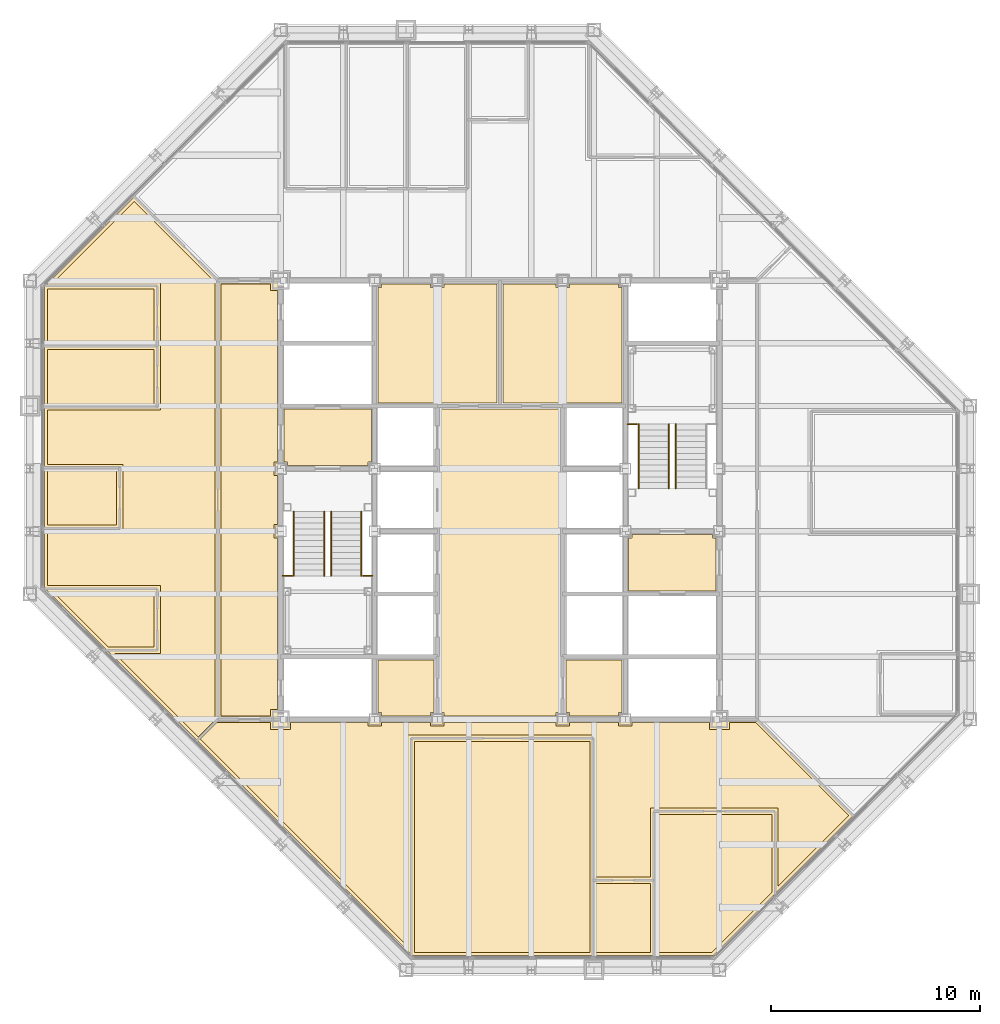
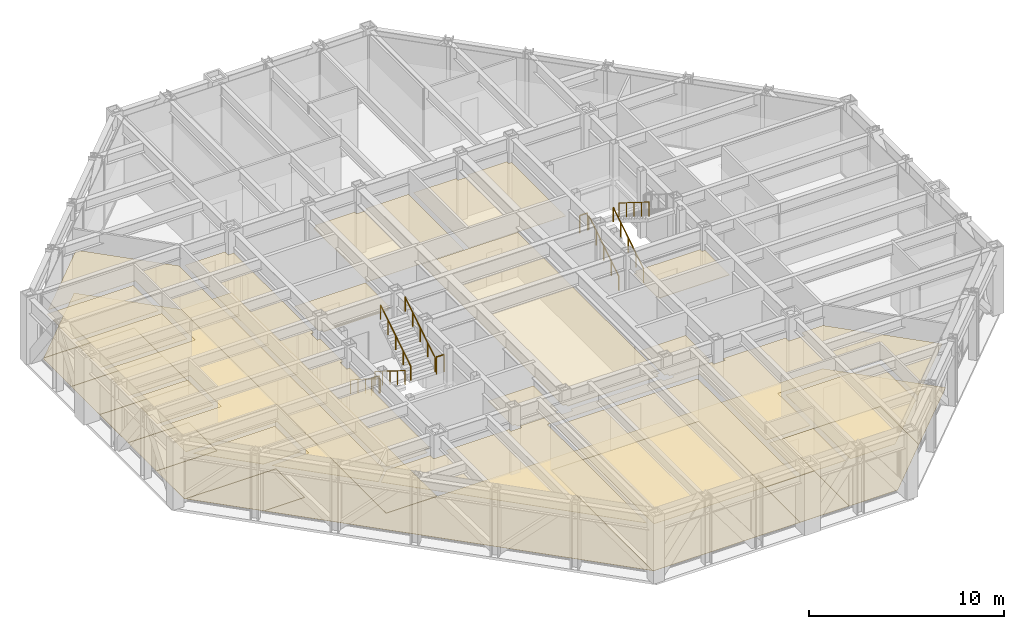
# One storey, part 15 of 16: 26 coverings, 10 railings.
"""IFC4 building model written with IfcOpenShell, lengths in metres."""

from ifc_helpers import new_model, si_unit, direction, frame, origin, origin_2d, place, context, subcontext, project, spatial, polyline, circle, outline, extrude, material, layer, layer_set, type_object, element, save


model = new_model("IFC4")

# Units and contexts
model_context = context("Model", 3, precision=1e-05, world=origin(), true_north=direction((0.0, 1.0)))
body_context = subcontext(model_context, "Body", "Model", "MODEL_VIEW")
ifc_project = project(units=[si_unit("LENGTHUNIT", "METRE"), si_unit("AREAUNIT", "SQUARE_METRE"), si_unit("VOLUMEUNIT", "CUBIC_METRE"), si_unit("PLANEANGLEUNIT", "RADIAN"), si_unit("MASSUNIT", "GRAM", prefix="KILO")], contexts=[model_context])

# Site, building, storey
site_placement = place(None, origin())
site = spatial("IfcSite", under=ifc_project, at=site_placement, CompositionType="ELEMENT")
building_placement = place(site_placement, origin())
building = spatial("IfcBuilding", under=site, at=building_placement, Name="Chuquiago Exchange Tower", CompositionType="ELEMENT")
storey_placement = place(building_placement, frame((0.0, 0.0, 230.699951171875)))
storey = spatial("IfcBuildingStorey", under=building, at=storey_placement, Name="L51", CompositionType="ELEMENT", Elevation=230.699951171875)

# Coverings
ifc_material_1 = material(Name="Mineral fibre tile, 600 x 600, on pale metal grid", Category="mineral fibre")
ifc_layer_1 = layer(ifc_material_1, 0.02001953125)
ifc_layer_set_1 = layer_set([ifc_layer_1], Name="CL1 suspended tile ceiling 20")
covering_type_1 = type_object("IfcCoveringType", Name="CL1 suspended tile ceiling 20", PredefinedType="CEILING", material=ifc_layer_set_1)
covering_1_placement = place(storey_placement, frame((0.0, 0.0, 2.800048828125)))
element("IfcCovering", 1, at=covering_1_placement, inside=storey, type_object=covering_type_1, Name="Ceiling Trading room", PredefinedType="CEILING", context=body_context, shape_type="SweptSolid", body=[
    extrude(outline(polyline([(18.3984375, 10.949951171875), (26.80029296875, 10.949951171875), (26.80029296875, 0.85009765625), (18.3984375, 0.85009765625), (18.3984375, 10.949951171875)])), origin(), (0.0, 0.0, 1.0), 0.02001953125),
])
covering_2_placement = place(storey_placement, frame((0.0, 0.0, 2.800048828125)))
element("IfcCovering", 2, at=covering_2_placement, inside=storey, type_object=covering_type_1, Name="Ceiling Focus room", PredefinedType="CEILING", context=body_context, shape_type="SweptSolid", body=[
    extrude(outline(polyline([(27.100341796875, 4.14990234375), (29.700927734375, 4.14990234375), (29.700927734375, 0.85009765625), (27.100341796875, 0.85009765625), (27.100341796875, 4.14990234375)])), origin(), (0.0, 0.0, 1.0), 0.02001953125),
])
covering_3_placement = place(storey_placement, frame((0.0, 0.0, 2.800048828125)))
element("IfcCovering", 3, at=covering_3_placement, inside=storey, type_object=covering_type_1, Name="Ceiling Risk management office", PredefinedType="CEILING", context=body_context, shape_type="SweptSolid", body=[
    extrude(outline(polyline([(30.0009765625, 0.85009765625), (30.0009765625, 7.449951171875), (35.513671875, 7.449951171875), (35.513671875, 3.715576171875), (32.64794921875, 0.85009765625), (30.0009765625, 0.85009765625)])), origin(), (0.0, 0.0, 1.0), 0.02001953125),
])
covering_4_placement = place(storey_placement, frame((0.0, 0.0, 2.800048828125)))
element("IfcCovering", 4, at=covering_4_placement, inside=storey, type_object=covering_type_1, Name="Ceiling Meeting room", PredefinedType="CEILING", context=body_context, shape_type="SweptSolid", body=[
    extrude(outline(polyline([(5.949951171875, 18.098388671875), (5.949951171875, 15.45703125), (3.744873046875, 15.45703125), (1.103515625, 18.098388671875), (5.949951171875, 18.098388671875)])), origin(), (0.0, 0.0, 1.0), 0.02001953125),
])
covering_5_placement = place(storey_placement, frame((0.0, 0.0, 2.800048828125)))
element("IfcCovering", 5, at=covering_5_placement, inside=storey, type_object=covering_type_1, Name="Ceiling Focus room", PredefinedType="CEILING", context=body_context, shape_type="SweptSolid", body=[
    extrude(outline(polyline([(4.14990234375, 23.899658203125), (4.14990234375, 21.299072265625), (0.85009765625, 21.299072265625), (0.85009765625, 23.899658203125), (4.14990234375, 23.899658203125)])), origin(), (0.0, 0.0, 1.0), 0.02001953125),
])
covering_6_placement = place(storey_placement, frame((0.0, 0.0, 2.800048828125)))
element("IfcCovering", 6, at=covering_6_placement, inside=storey, type_object=covering_type_1, Name="Ceiling Office", PredefinedType="CEILING", context=body_context, shape_type="SweptSolid", body=[
    extrude(outline(polyline([(5.949951171875, 29.700927734375), (5.949951171875, 27.100341796875), (0.85009765625, 27.100341796875), (0.85009765625, 29.700927734375), (5.949951171875, 29.700927734375)])), origin(), (0.0, 0.0, 1.0), 0.02001953125),
])
covering_7_placement = place(storey_placement, frame((0.0, 0.0, 2.800048828125)))
element("IfcCovering", 7, at=covering_7_placement, inside=storey, type_object=covering_type_1, Name="Ceiling Office", PredefinedType="CEILING", context=body_context, shape_type="SweptSolid", body=[
    extrude(outline(polyline([(5.949951171875, 32.6015625), (5.949951171875, 30.0009765625), (0.85009765625, 30.0009765625), (0.85009765625, 32.6015625), (5.949951171875, 32.6015625)])), origin(), (0.0, 0.0, 1.0), 0.02001953125),
])
covering_8_placement = place(storey_placement, frame((0.0, 0.0, 2.800048828125)))
element("IfcCovering", 8, at=covering_8_placement, inside=storey, type_object=covering_type_1, Name="Ceiling Circulation corridor", PredefinedType="CEILING", context=body_context, shape_type="SweptSolid", body=[
    extrude(outline(polyline([(9.14990234375, 12.14990234375), (9.14990234375, 32.85009765625), (11.52490234375, 32.85009765625), (11.52490234375, 32.52490234375), (11.85009765625, 32.52490234375), (11.85009765625, 24.324951171875), (11.675048828125, 24.324951171875), (11.675048828125, 23.675048828125), (11.85009765625, 23.675048828125), (11.85009765625, 21.324951171875), (11.675048828125, 21.324951171875), (11.675048828125, 20.675048828125), (11.85009765625, 20.675048828125), (11.85009765625, 12.47509765625), (11.52490234375, 12.47509765625), (11.52490234375, 12.14990234375), (9.14990234375, 12.14990234375)])), origin(), (0.0, 0.0, 1.0), 0.02001953125),
])
covering_9_placement = place(storey_placement, frame((0.0, 0.0, 2.800048828125)))
element("IfcCovering", 9, at=covering_9_placement, inside=storey, type_object=covering_type_1, Name="Ceiling Open office west", PredefinedType="CEILING", context=body_context, shape_type="SweptSolid", body=[
    extrude(outline(polyline([(11.52490234375, 11.85009765625), (11.52490234375, 11.52490234375), (12.47509765625, 11.52490234375), (12.47509765625, 11.85009765625), (16.175048828125, 11.85009765625), (16.175048828125, 11.675048828125), (16.824951171875, 11.675048828125), (16.824951171875, 11.85009765625), (19.175048828125, 11.85009765625), (19.175048828125, 11.675048828125), (19.824951171875, 11.675048828125), (19.824951171875, 11.85009765625), (25.175048828125, 11.85009765625), (25.175048828125, 11.675048828125), (25.824951171875, 11.675048828125), (25.824951171875, 11.85009765625), (28.175048828125, 11.85009765625), (28.175048828125, 11.675048828125), (28.824951171875, 11.675048828125), (28.824951171875, 11.85009765625), (32.52490234375, 11.85009765625), (32.52490234375, 11.52490234375), (33.47509765625, 11.52490234375), (33.47509765625, 11.85009765625), (34.7373046875, 11.85009765625), (39.192626953125, 7.39453125), (35.813720703125, 4.015625), (35.813720703125, 7.75), (29.700927734375, 7.75), (29.700927734375, 4.449951171875), (27.100341796875, 4.449951171875), (27.100341796875, 11.25), (18.098388671875, 11.25), (18.098388671875, 1.103515625), (8.150390625, 11.051513671875), (8.948974609375, 11.85009765625), (11.52490234375, 11.85009765625)])), origin(), (0.0, 0.0, 1.0), 0.02001953125),
])
covering_10_placement = place(storey_placement, frame((0.0, 0.0, 2.800048828125)))
element("IfcCovering", 10, at=covering_10_placement, inside=storey, type_object=covering_type_1, Name="Ceiling Open office west", PredefinedType="CEILING", context=body_context, shape_type="SweptSolid", body=[
    extrude(outline(polyline([(0.85009765625, 20.9990234375), (4.449951171875, 20.9990234375), (4.449951171875, 24.19970703125), (0.85009765625, 24.19970703125), (0.85009765625, 26.80029296875), (6.25, 26.80029296875), (6.25, 32.901611328125), (1.103515625, 32.901611328125), (4.99462890625, 36.79248046875), (8.85009765625, 32.9375), (8.85009765625, 11.948974609375), (8.051513671875, 11.150390625), (4.044921875, 15.156982421875), (6.25, 15.156982421875), (6.25, 18.3984375), (0.85009765625, 18.3984375), (0.85009765625, 20.9990234375)])), origin(), (0.0, 0.0, 1.0), 0.02001953125),
])
ifc_material_2 = material(Name="Moisture resistant plasterboard on metal frame", Category="gypsum")
ifc_layer_2 = layer(ifc_material_2, 0.014892578125)
ifc_layer_set_2 = layer_set([ifc_layer_2], Name="CL2 moisture resistant ceiling 15")
covering_type_2 = type_object("IfcCoveringType", Name="CL2 moisture resistant ceiling 15", PredefinedType="CEILING", material=ifc_layer_set_2)
covering_11_placement = place(storey_placement, frame((0.0, 0.0, 2.60009765625)))
element("IfcCovering", 11, at=covering_11_placement, inside=storey, type_object=covering_type_2, Name="Ceiling Male WC", PredefinedType="CEILING", context=body_context, shape_type="SweptSolid", body=[
    extrude(outline(polyline([(16.64990234375, 27.14990234375), (16.64990234375, 32.675048828125), (16.824951171875, 32.675048828125), (16.824951171875, 32.85009765625), (19.175048828125, 32.85009765625), (19.175048828125, 32.675048828125), (19.824951171875, 32.675048828125), (19.824951171875, 32.85009765625), (22.35009765625, 32.85009765625), (22.35009765625, 27.14990234375), (16.64990234375, 27.14990234375)])), origin(), (0.0, 0.0, 1.0), 0.014892578125),
])
covering_12_placement = place(storey_placement, frame((0.0, 0.0, 2.60009765625)))
element("IfcCovering", 12, at=covering_12_placement, inside=storey, type_object=covering_type_2, Name="Ceiling Female WC", PredefinedType="CEILING", context=body_context, shape_type="SweptSolid", body=[
    extrude(outline(polyline([(22.64990234375, 27.14990234375), (22.64990234375, 32.85009765625), (25.175048828125, 32.85009765625), (25.175048828125, 32.675048828125), (25.824951171875, 32.675048828125), (25.824951171875, 32.85009765625), (28.175048828125, 32.85009765625), (28.175048828125, 32.675048828125), (28.35009765625, 32.675048828125), (28.35009765625, 27.14990234375), (22.64990234375, 27.14990234375)])), origin(), (0.0, 0.0, 1.0), 0.014892578125),
])
covering_13_placement = place(storey_placement, frame((0.0, 0.0, 2.60009765625)))
element("IfcCovering", 13, at=covering_13_placement, inside=storey, type_object=covering_type_2, Name="Ceiling Accessible WC", PredefinedType="CEILING", context=body_context, shape_type="SweptSolid", body=[
    extrude(outline(polyline([(25.824951171875, 12.14990234375), (25.824951171875, 12.324951171875), (25.64990234375, 12.324951171875), (25.64990234375, 14.85009765625), (28.35009765625, 14.85009765625), (28.35009765625, 12.324951171875), (28.175048828125, 12.324951171875), (28.175048828125, 12.14990234375), (25.824951171875, 12.14990234375)])), origin(), (0.0, 0.0, 1.0), 0.014892578125),
])
covering_14_placement = place(storey_placement, frame((0.0, 0.0, 2.60009765625)))
element("IfcCovering", 14, at=covering_14_placement, inside=storey, type_object=covering_type_2, Name="Ceiling Cleaner", PredefinedType="CEILING", context=body_context, shape_type="SweptSolid", body=[
    extrude(outline(polyline([(16.824951171875, 12.14990234375), (16.824951171875, 12.324951171875), (16.64990234375, 12.324951171875), (16.64990234375, 14.85009765625), (19.35009765625, 14.85009765625), (19.35009765625, 12.324951171875), (19.175048828125, 12.324951171875), (19.175048828125, 12.14990234375), (16.824951171875, 12.14990234375)])), origin(), (0.0, 0.0, 1.0), 0.014892578125),
])
ifc_material_3 = material(Name="Pale metal plank ceiling, perforated", Category="aluminium")
ifc_layer_3 = layer(ifc_material_3, 0.030029296875)
ifc_layer_set_3 = layer_set([ifc_layer_3], Name="CL3 metal plank ceiling 30")
covering_type_3 = type_object("IfcCoveringType", Name="CL3 metal plank ceiling 30", PredefinedType="CEILING", material=ifc_layer_set_3)
covering_15_placement = place(storey_placement, frame((0.0, 0.0, 2.800048828125)))
element("IfcCovering", 15, at=covering_15_placement, inside=storey, type_object=covering_type_3, Name="Ceiling Lift lobby", PredefinedType="CEILING", context=body_context, shape_type="SweptSolid", body=[
    extrude(outline(polyline([(19.824951171875, 12.14990234375), (19.824951171875, 12.324951171875), (19.64990234375, 12.324951171875), (19.64990234375, 26.85009765625), (25.35009765625, 26.85009765625), (25.35009765625, 12.324951171875), (25.175048828125, 12.324951171875), (25.175048828125, 12.14990234375), (19.824951171875, 12.14990234375)])), origin(), (0.0, 0.0, 1.0), 0.030029296875),
])
covering_16_placement = place(storey_placement, frame((0.0, 0.0, 2.800048828125)))
element("IfcCovering", 16, at=covering_16_placement, inside=storey, type_object=covering_type_3, Name="Ceiling Firefighting lobby", PredefinedType="CEILING", context=body_context, shape_type="SweptSolid", body=[
    extrude(outline(polyline([(12.324951171875, 24.14990234375), (12.324951171875, 24.324951171875), (12.14990234375, 24.324951171875), (12.14990234375, 26.85009765625), (16.35009765625, 26.85009765625), (16.35009765625, 24.324951171875), (16.175048828125, 24.324951171875), (16.175048828125, 24.14990234375), (12.324951171875, 24.14990234375)])), origin(), (0.0, 0.0, 1.0), 0.030029296875),
])
covering_17_placement = place(storey_placement, frame((0.0, 0.0, 2.800048828125)))
element("IfcCovering", 17, at=covering_17_placement, inside=storey, type_object=covering_type_3, Name="Ceiling Firefighting lobby", PredefinedType="CEILING", context=body_context, shape_type="SweptSolid", body=[
    extrude(outline(polyline([(28.64990234375, 18.14990234375), (28.64990234375, 20.675048828125), (28.824951171875, 20.675048828125), (28.824951171875, 20.85009765625), (32.675048828125, 20.85009765625), (32.675048828125, 20.675048828125), (32.85009765625, 20.675048828125), (32.85009765625, 18.14990234375), (28.64990234375, 18.14990234375)])), origin(), (0.0, 0.0, 1.0), 0.030029296875),
])
ifc_material_4 = material(Name="Carpet tile, 500 x 500, on the floor slab", Category="textile")
ifc_layer_4 = layer(ifc_material_4, 0.010009765625)
ifc_layer_set_4 = layer_set([ifc_layer_4], Name="FL1 carpet tile 10")
covering_type_4 = type_object("IfcCoveringType", Name="FL1 carpet tile 10", PredefinedType="FLOORING", material=ifc_layer_set_4)
covering_18_placement = place(storey_placement, origin())
element("IfcCovering", 18, at=covering_18_placement, inside=storey, type_object=covering_type_4, Name="Floor finish Trading room", PredefinedType="FLOORING", context=body_context, shape_type="SweptSolid", body=[
    extrude(outline(polyline([(18.289794921875, 0.699951171875), (18.24853515625, 0.741455078125), (18.24853515625, 11.10009765625), (26.9501953125, 11.10009765625), (26.9501953125, 0.699951171875), (18.289794921875, 0.699951171875)])), origin(), (0.0, 0.0, 1.0), 0.010009765625),
])
covering_19_placement = place(storey_placement, origin())
element("IfcCovering", 19, at=covering_19_placement, inside=storey, type_object=covering_type_4, Name="Floor finish Focus room", PredefinedType="FLOORING", context=body_context, shape_type="SweptSolid", body=[
    extrude(outline(polyline([(26.9501953125, 0.699951171875), (26.9501953125, 4.300048828125), (29.850830078125, 4.300048828125), (29.850830078125, 0.699951171875), (26.9501953125, 0.699951171875)])), origin(), (0.0, 0.0, 1.0), 0.010009765625),
])
covering_20_placement = place(storey_placement, origin())
element("IfcCovering", 20, at=covering_20_placement, inside=storey, type_object=covering_type_4, Name="Floor finish Risk management office", PredefinedType="FLOORING", context=body_context, shape_type="SweptSolid", body=[
    extrude(outline(polyline([(32.710205078125, 0.699951171875), (29.850830078125, 0.699951171875), (29.850830078125, 7.60009765625), (35.66357421875, 7.60009765625), (35.66357421875, 3.653564453125), (32.710205078125, 0.699951171875)])), origin(), (0.0, 0.0, 1.0), 0.010009765625),
])
covering_21_placement = place(storey_placement, origin())
element("IfcCovering", 21, at=covering_21_placement, inside=storey, type_object=covering_type_4, Name="Floor finish Meeting room", PredefinedType="FLOORING", context=body_context, shape_type="SweptSolid", body=[
    extrude(outline(polyline([(0.741455078125, 18.24853515625), (6.10009765625, 18.24853515625), (6.10009765625, 15.30712890625), (3.682861328125, 15.30712890625), (0.741455078125, 18.24853515625)])), origin(), (0.0, 0.0, 1.0), 0.010009765625),
])
covering_22_placement = place(storey_placement, origin())
element("IfcCovering", 22, at=covering_22_placement, inside=storey, type_object=covering_type_4, Name="Floor finish Focus room", PredefinedType="FLOORING", context=body_context, shape_type="SweptSolid", body=[
    extrude(outline(polyline([(0.699951171875, 24.0498046875), (4.300048828125, 24.0498046875), (4.300048828125, 21.149169921875), (0.699951171875, 21.149169921875), (0.699951171875, 24.0498046875)])), origin(), (0.0, 0.0, 1.0), 0.010009765625),
])
covering_23_placement = place(storey_placement, origin())
element("IfcCovering", 23, at=covering_23_placement, inside=storey, type_object=covering_type_4, Name="Floor finish Office", PredefinedType="FLOORING", context=body_context, shape_type="SweptSolid", body=[
    extrude(outline(polyline([(0.699951171875, 29.850830078125), (6.10009765625, 29.850830078125), (6.10009765625, 26.9501953125), (0.699951171875, 26.9501953125), (0.699951171875, 29.850830078125)])), origin(), (0.0, 0.0, 1.0), 0.010009765625),
])
covering_24_placement = place(storey_placement, origin())
element("IfcCovering", 24, at=covering_24_placement, inside=storey, type_object=covering_type_4, Name="Floor finish Office", PredefinedType="FLOORING", context=body_context, shape_type="SweptSolid", body=[
    extrude(outline(polyline([(0.699951171875, 32.710205078125), (0.741455078125, 32.75146484375), (6.10009765625, 32.75146484375), (6.10009765625, 29.850830078125), (0.699951171875, 29.850830078125), (0.699951171875, 32.710205078125)])), origin(), (0.0, 0.0, 1.0), 0.010009765625),
])
covering_25_placement = place(storey_placement, origin())
element("IfcCovering", 25, at=covering_25_placement, inside=storey, type_object=covering_type_4, Name="Floor finish Open office west", PredefinedType="FLOORING", context=body_context, shape_type="SweptSolid", body=[
    extrude(outline(polyline([(4.300048828125, 24.0498046875), (0.699951171875, 24.0498046875), (0.699951171875, 26.9501953125), (6.10009765625, 26.9501953125), (6.10009765625, 32.75146484375), (0.741455078125, 32.75146484375), (4.99462890625, 37.004638671875), (9.0, 32.99951171875), (9.0, 12.0), (34.799560546875, 12.0), (39.40478515625, 7.39453125), (35.66357421875, 3.653564453125), (35.66357421875, 7.60009765625), (29.850830078125, 7.60009765625), (29.850830078125, 4.300048828125), (26.9501953125, 4.300048828125), (26.9501953125, 11.10009765625), (18.24853515625, 11.10009765625), (18.24853515625, 0.741455078125), (3.682861328125, 15.30712890625), (6.10009765625, 15.30712890625), (6.10009765625, 18.24853515625), (0.741455078125, 18.24853515625), (0.699951171875, 18.289794921875), (0.699951171875, 21.149169921875), (4.300048828125, 21.149169921875), (4.300048828125, 24.0498046875)])), origin(), (0.0, 0.0, 1.0), 0.010009765625),
])
ifc_material_5 = material(Name="Porcelain floor tile, 600 x 600, on adhesive bed", Category="ceramic")
ifc_layer_5 = layer(ifc_material_5, 0.014892578125)
ifc_layer_set_5 = layer_set([ifc_layer_5], Name="FL2 porcelain tile 15")
covering_type_5 = type_object("IfcCoveringType", Name="FL2 porcelain tile 15", PredefinedType="FLOORING", material=ifc_layer_set_5)
covering_26_placement = place(storey_placement, origin())
element("IfcCovering", 26, at=covering_26_placement, inside=storey, type_object=covering_type_5, Name="Floor finish Circulation corridor", PredefinedType="FLOORING", context=body_context, shape_type="SweptSolid", body=[
    extrude(outline(polyline([(12.0, 12.0), (9.0, 12.0), (9.0, 33.0), (12.0, 33.0), (12.0, 12.0)])), origin(), (0.0, 0.0, 1.0), 0.01513671875),
])

# Railings
ifc_material_6 = material(Name="Pale metal guard with safety glass infill", Category="glass")
railing_type_1 = type_object("IfcRailingType", Name="GR1 guard 1100", PredefinedType="GUARDRAIL", material=ifc_material_6)
for number, where, name in (
    (27, (12.10009765625, 18.8701171875, 2.10009765625), "Guard ST1 L51 landing 2"),
    (28, (15.945068359375, 18.8701171875, 2.10009765625), "Guard ST1 L51 landing 2"),
    (29, (28.60009765625, 26.1298828125, 2.10009765625), "Guard ST2 L51 landing 2"),
):
    element("IfcRailing", number, at=place(storey_placement, frame(where)), inside=storey, type_object=railing_type_1, Name=name, PredefinedType="GUARDRAIL", context=body_context, shape_type="SweptSolid", body=[
        extrude(circle(Radius=0.02392578125, at=origin_2d()), frame((0.0, 0.0, 1.076171875), z_axis=(1.0, 0.0, 0.0), x_axis=(0.0, 1.0, 0.0)), (0.0, 0.0, 1.0), 0.454833984375),
        extrude(circle(Radius=0.02099609375, at=origin_2d()), origin(), (0.0, 0.0, 1.0), 1.052001953125),
        extrude(circle(Radius=0.02099609375, at=origin_2d()), frame((0.454833984375, 0.0, 0.0)), (0.0, 0.0, 1.0), 1.052001953125),
    ])
ifc_material_7 = material(Name="Pale metal handrail", Category="steel")
railing_type_2 = type_object("IfcRailingType", Name="HR1 handrail 900", PredefinedType="HANDRAIL", material=ifc_material_7)
for number, where, name in (
    (30, (12.635009765625, 21.949951171875, 0.175048828125), "Handrail ST1 L51 flight 1"),
    (31, (14.0849609375, 21.949951171875, 0.175048828125), "Handrail ST1 L51 flight 1"),
):
    element("IfcRailing", number, at=place(storey_placement, frame(where)), inside=storey, type_object=railing_type_2, Name=name, PredefinedType="HANDRAIL", context=body_context, shape_type="SweptSolid", body=[
        extrude(circle(Radius=0.02392578125, at=origin_2d()), frame((0.0, 0.0, 0.8759765625), z_axis=(0.0, -0.847979421464, 0.530029150871), x_axis=(1.0, 0.0, 0.0)), (0.0, 0.0, 1.0), 3.632080078125),
        extrude(circle(Radius=0.02099609375, at=origin_2d()), origin(), (0.0, 0.0, 1.0), 0.851806640625),
        extrude(circle(Radius=0.02099609375, at=origin_2d()), frame((0.0, -0.77001953125, 0.481201171875)), (0.0, 0.0, 1.0), 0.851806640625),
        extrude(circle(Radius=0.02099609375, at=origin_2d()), frame((0.0, -1.5400390625, 0.96240234375)), (0.0, 0.0, 1.0), 0.851806640625),
        extrude(circle(Radius=0.02099609375, at=origin_2d()), frame((0.0, -2.309814453125, 1.44384765625)), (0.0, 0.0, 1.0), 0.851806640625),
        extrude(circle(Radius=0.02099609375, at=origin_2d()), frame((0.0, -3.079833984375, 1.925048828125)), (0.0, 0.0, 1.0), 0.851806640625),
    ])
for number, where, name in (
    (32, (15.864990234375, 18.8701171875, 2.275146484375), "Handrail ST1 L51 flight 2"),
    (33, (14.4150390625, 18.8701171875, 2.275146484375), "Handrail ST1 L51 flight 2"),
):
    element("IfcRailing", number, at=place(storey_placement, frame(where)), inside=storey, type_object=railing_type_2, Name=name, PredefinedType="HANDRAIL", context=body_context, shape_type="SweptSolid", body=[
        extrude(circle(Radius=0.02392578125, at=origin_2d()), frame((0.0, 0.0, 0.8759765625), z_axis=(0.0, 0.848009633417, 0.529980812513), x_axis=(-1.0, 0.0, 0.0)), (0.0, 0.0, 1.0), 3.6318359375),
        extrude(circle(Radius=0.02099609375, at=origin_2d()), origin(), (0.0, 0.0, 1.0), 0.851806640625),
        extrude(circle(Radius=0.02099609375, at=origin_2d()), frame((0.0, 0.77001953125, 0.481201171875)), (0.0, 0.0, 1.0), 0.851806640625),
        extrude(circle(Radius=0.02099609375, at=origin_2d()), frame((0.0, 1.5400390625, 0.96240234375)), (0.0, 0.0, 1.0), 0.851806640625),
        extrude(circle(Radius=0.02099609375, at=origin_2d()), frame((0.0, 2.309814453125, 1.443603515625)), (0.0, 0.0, 1.0), 0.851806640625),
        extrude(circle(Radius=0.02099609375, at=origin_2d()), frame((0.0, 3.079833984375, 1.9248046875)), (0.0, 0.0, 1.0), 0.851806640625),
    ])
for number, where, name in (
    (34, (30.5849609375, 23.050048828125, 0.175048828125), "Handrail ST2 L51 flight 1"),
    (35, (29.135009765625, 23.050048828125, 0.175048828125), "Handrail ST2 L51 flight 1"),
):
    element("IfcRailing", number, at=place(storey_placement, frame(where)), inside=storey, type_object=railing_type_2, Name=name, PredefinedType="HANDRAIL", context=body_context, shape_type="SweptSolid", body=[
        extrude(circle(Radius=0.02392578125, at=origin_2d()), frame((0.0, 0.0, 0.8759765625), z_axis=(0.0, 0.847979421464, 0.530029150871), x_axis=(-1.0, 0.0, 0.0)), (0.0, 0.0, 1.0), 3.632080078125),
        extrude(circle(Radius=0.02099609375, at=origin_2d()), origin(), (0.0, 0.0, 1.0), 0.851806640625),
        extrude(circle(Radius=0.02099609375, at=origin_2d()), frame((0.0, 0.77001953125, 0.481201171875)), (0.0, 0.0, 1.0), 0.851806640625),
        extrude(circle(Radius=0.02099609375, at=origin_2d()), frame((0.0, 1.5400390625, 0.96240234375)), (0.0, 0.0, 1.0), 0.851806640625),
        extrude(circle(Radius=0.02099609375, at=origin_2d()), frame((0.0, 2.309814453125, 1.44384765625)), (0.0, 0.0, 1.0), 0.851806640625),
        extrude(circle(Radius=0.02099609375, at=origin_2d()), frame((0.0, 3.079833984375, 1.925048828125)), (0.0, 0.0, 1.0), 0.851806640625),
    ])
railing_placement = place(storey_placement, frame((30.9150390625, 26.1298828125, 2.275146484375)))
element("IfcRailing", 36, at=railing_placement, inside=storey, type_object=railing_type_2, Name="Handrail ST2 L51 flight 2", PredefinedType="HANDRAIL", context=body_context, shape_type="SweptSolid", body=[
    extrude(circle(Radius=0.02392578125, at=origin_2d()), frame((0.0, 0.0, 0.8759765625), z_axis=(0.0, -0.848009633417, 0.529980812513), x_axis=(1.0, 0.0, 0.0)), (0.0, 0.0, 1.0), 3.6318359375),
    extrude(circle(Radius=0.02099609375, at=origin_2d()), origin(), (0.0, 0.0, 1.0), 0.851806640625),
    extrude(circle(Radius=0.02099609375, at=origin_2d()), frame((0.0, -0.77001953125, 0.481201171875)), (0.0, 0.0, 1.0), 0.851806640625),
    extrude(circle(Radius=0.02099609375, at=origin_2d()), frame((0.0, -1.5400390625, 0.96240234375)), (0.0, 0.0, 1.0), 0.851806640625),
    extrude(circle(Radius=0.02099609375, at=origin_2d()), frame((0.0, -2.309814453125, 1.443603515625)), (0.0, 0.0, 1.0), 0.851806640625),
    extrude(circle(Radius=0.02099609375, at=origin_2d()), frame((0.0, -3.079833984375, 1.9248046875)), (0.0, 0.0, 1.0), 0.851806640625),
])

save(model, "model.ifc")
